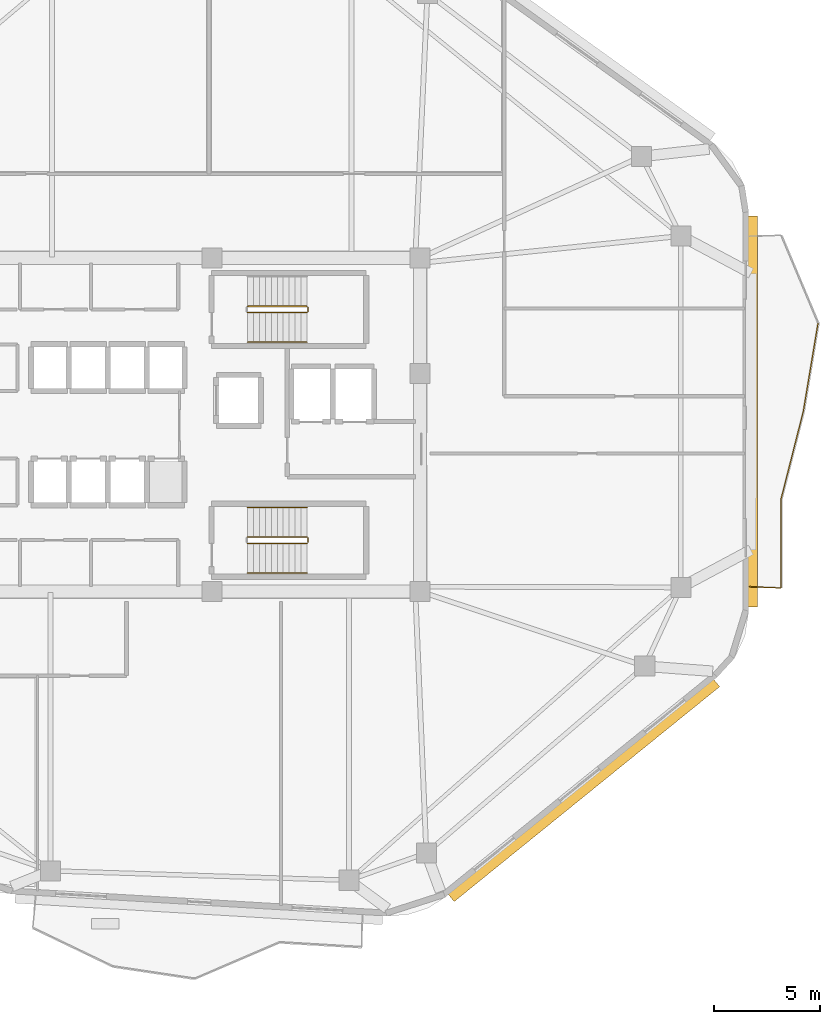
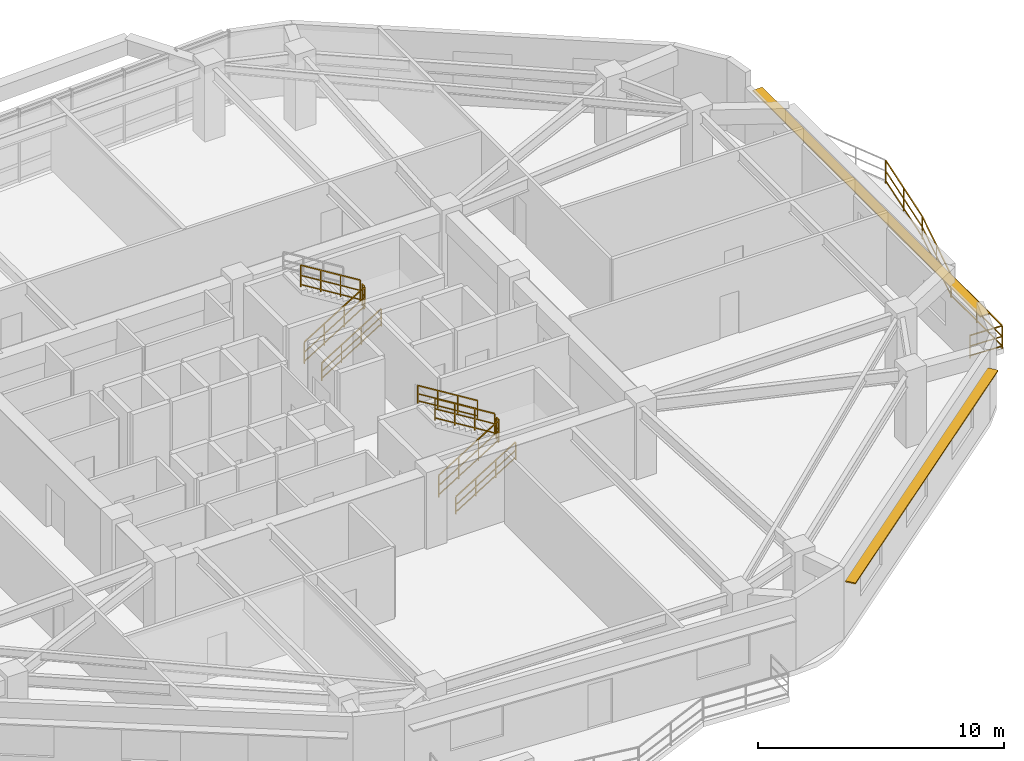
# One storey, part 13 of 15: 13 railings, 2 shading devices.
"""IFC4 building model written with IfcOpenShell, lengths in metres."""

from ifc_helpers import new_model, si_unit, direction, frame, origin, origin_2d, place, context, subcontext, project, spatial, rectangle, extrude, material, layer, layer_set, type_object, element, save


model = new_model("IFC4")

# Units and contexts
model_context = context("Model", 3, precision=1e-05, world=origin(), true_north=direction((0.0, 1.0)))
body_context = subcontext(model_context, "Body", "Model", "MODEL_VIEW")
ifc_project = project(units=[si_unit("LENGTHUNIT", "METRE"), si_unit("AREAUNIT", "SQUARE_METRE"), si_unit("VOLUMEUNIT", "CUBIC_METRE"), si_unit("PLANEANGLEUNIT", "RADIAN"), si_unit("MASSUNIT", "GRAM", prefix="KILO")], contexts=[model_context])

# Site, building, storey
site_placement = place(None, origin())
site = spatial("IfcSite", under=ifc_project, at=site_placement, CompositionType="ELEMENT")
building_placement = place(site_placement, origin())
building = spatial("IfcBuilding", under=site, at=building_placement, Name="Zulverin Broadcast Headquarters", CompositionType="ELEMENT")
storey_placement = place(building_placement, frame((0.0, 0.0, 193.39990234375)))
storey = spatial("IfcBuildingStorey", under=building, at=storey_placement, Name="L49", CompositionType="ELEMENT", Elevation=193.39990234375)

# Railings
ifc_material_1 = material(Name="Brushed stainless steel & laminated glass balustrade", Category="steel")
railing_type_1 = type_object("IfcRailingType", Name="RL-GUARD-1150", PredefinedType="GUARDRAIL", material=ifc_material_1)
railing_1_placement = place(storey_placement, frame((63.840087890625, 17.55029296875, 0.0)))
element("IfcRailing", 1, at=railing_1_placement, inside=storey, type_object=railing_type_1, Name="L49 Vertical-Forest Balcony Guardrail BAL_E Segment 01", PredefinedType="GUARDRAIL", context=body_context, shape_type="SweptSolid", body=[
    extrude(rectangle(XDim=0.048095703125, YDim=0.048095703125, at=origin_2d()), frame((0.0, 0.0, 1.1259765625), z_axis=(0.99918088253, -0.040466825742, 0.0), x_axis=(0.040466825742, 0.99918088253, 0.0)), (0.0, 0.0, 1.0), 1.466064453125),
    extrude(rectangle(XDim=0.0419921875, YDim=0.0419921875, at=origin_2d()), frame((0.0, 0.0, 0.597900390625), z_axis=(0.99918088253, -0.040466825742, 0.0), x_axis=(0.040466825742, 0.99918088253, 0.0)), (0.0, 0.0, 1.0), 1.466064453125),
    extrude(rectangle(XDim=0.0419921875, YDim=0.0419921875, at=origin_2d()), frame((0.0, 0.0, 0.1201171875), z_axis=(0.99918088253, -0.040466825742, 0.0), x_axis=(0.040466825742, 0.99918088253, 0.0)), (0.0, 0.0, 1.0), 1.466064453125),
    extrude(rectangle(XDim=0.0419921875, YDim=0.0419921875, at=origin_2d()), origin(), (0.0, 0.0, 1.0), 1.101806640625),
    extrude(rectangle(XDim=0.0419921875, YDim=0.0419921875, at=origin_2d()), frame((1.46484375, -0.059326171875, 0.0)), (0.0, 0.0, 1.0), 1.101806640625),
])
railing_2_placement = place(storey_placement, frame((65.320068359375, 17.50537109375, 0.0)))
element("IfcRailing", 2, at=railing_2_placement, inside=storey, type_object=railing_type_1, Name="L49 Vertical-Forest Balcony Guardrail BAL_E Segment 02", PredefinedType="GUARDRAIL", context=body_context, shape_type="SweptSolid", body=[
    extrude(rectangle(XDim=0.048095703125, YDim=0.048095703125, at=origin_2d()), frame((0.0, 0.0, 1.1259765625), z_axis=(0.0, 1.0, 0.0), x_axis=(-1.0, 0.0, 0.0)), (0.0, 0.0, 1.0), 4.138916015625),
    extrude(rectangle(XDim=0.0419921875, YDim=0.0419921875, at=origin_2d()), frame((0.0, 0.0, 0.597900390625), z_axis=(0.0, 1.0, 0.0), x_axis=(-1.0, 0.0, 0.0)), (0.0, 0.0, 1.0), 4.138916015625),
    extrude(rectangle(XDim=0.0419921875, YDim=0.0419921875, at=origin_2d()), frame((0.0, 0.0, 0.1201171875), z_axis=(0.0, 1.0, 0.0), x_axis=(-1.0, 0.0, 0.0)), (0.0, 0.0, 1.0), 4.138916015625),
    extrude(rectangle(XDim=0.0419921875, YDim=0.0419921875, at=origin_2d()), origin(), (0.0, 0.0, 1.0), 1.101806640625),
    extrude(rectangle(XDim=0.0419921875, YDim=0.0419921875, at=origin_2d()), frame((0.0, 2.0693359375, 0.0)), (0.0, 0.0, 1.0), 1.101806640625),
    extrude(rectangle(XDim=0.0419921875, YDim=0.0419921875, at=origin_2d()), frame((0.0, 4.138916015625, 0.0)), (0.0, 0.0, 1.0), 1.101806640625),
])
railing_3_placement = place(storey_placement, frame((65.32373046875, 21.673828125, 0.0)))
element("IfcRailing", 3, at=railing_3_placement, inside=storey, type_object=railing_type_1, Name="L49 Vertical-Forest Balcony Guardrail BAL_E Segment 03", PredefinedType="GUARDRAIL", context=body_context, shape_type="SweptSolid", body=[
    extrude(rectangle(XDim=0.048095703125, YDim=0.048095703125, at=origin_2d()), frame((0.0, 0.0, 1.1259765625), z_axis=(0.246124867656, 0.969238128388, 0.0), x_axis=(-0.969238128388, 0.246124867656, 0.0)), (0.0, 0.0, 1.0), 4.271240234375),
    extrude(rectangle(XDim=0.0419921875, YDim=0.0419921875, at=origin_2d()), frame((0.0, 0.0, 0.597900390625), z_axis=(0.246124867656, 0.969238128388, 0.0), x_axis=(-0.969238128388, 0.246124867656, 0.0)), (0.0, 0.0, 1.0), 4.271240234375),
    extrude(rectangle(XDim=0.0419921875, YDim=0.0419921875, at=origin_2d()), frame((0.0, 0.0, 0.1201171875), z_axis=(0.246124867656, 0.969238128388, 0.0), x_axis=(-0.969238128388, 0.246124867656, 0.0)), (0.0, 0.0, 1.0), 4.271240234375),
    extrude(rectangle(XDim=0.0419921875, YDim=0.0419921875, at=origin_2d()), origin(), (0.0, 0.0, 1.0), 1.101806640625),
    extrude(rectangle(XDim=0.0419921875, YDim=0.0419921875, at=origin_2d()), frame((0.525634765625, 2.06982421875, 0.0)), (0.0, 0.0, 1.0), 1.101806640625),
    extrude(rectangle(XDim=0.0419921875, YDim=0.0419921875, at=origin_2d()), frame((1.05126953125, 4.139892578125, 0.0)), (0.0, 0.0, 1.0), 1.101806640625),
])
railing_4_placement = place(storey_placement, frame((66.38134765625, 25.843017578125, 0.0)))
element("IfcRailing", 4, at=railing_4_placement, inside=storey, type_object=railing_type_1, Name="L49 Vertical-Forest Balcony Guardrail BAL_E Segment 04", PredefinedType="GUARDRAIL", context=body_context, shape_type="SweptSolid", body=[
    extrude(rectangle(XDim=0.048095703125, YDim=0.048095703125, at=origin_2d()), frame((0.0, 0.0, 1.1259765625), z_axis=(0.16446502515, 0.986382915253, 0.0), x_axis=(-0.986382915253, 0.16446502515, 0.0)), (0.0, 0.0, 1.0), 4.196533203125),
    extrude(rectangle(XDim=0.0419921875, YDim=0.0419921875, at=origin_2d()), frame((0.0, 0.0, 0.597900390625), z_axis=(0.16446502515, 0.986382915253, 0.0), x_axis=(-0.986382915253, 0.16446502515, 0.0)), (0.0, 0.0, 1.0), 4.196533203125),
    extrude(rectangle(XDim=0.0419921875, YDim=0.0419921875, at=origin_2d()), frame((0.0, 0.0, 0.1201171875), z_axis=(0.16446502515, 0.986382915253, 0.0), x_axis=(-0.986382915253, 0.16446502515, 0.0)), (0.0, 0.0, 1.0), 4.196533203125),
    extrude(rectangle(XDim=0.0419921875, YDim=0.0419921875, at=origin_2d()), origin(), (0.0, 0.0, 1.0), 1.101806640625),
    extrude(rectangle(XDim=0.0419921875, YDim=0.0419921875, at=origin_2d()), frame((0.34521484375, 2.06982421875, 0.0)), (0.0, 0.0, 1.0), 1.101806640625),
    extrude(rectangle(XDim=0.0419921875, YDim=0.0419921875, at=origin_2d()), frame((0.690185546875, 4.139404296875, 0.0)), (0.0, 0.0, 1.0), 1.101806640625),
])
ifc_material_2 = material(Name="Painted galvanized steel tubular guardrail S355JR", Category="steel")
railing_type_2 = type_object("IfcRailingType", Name="RL-ST-GUARD", PredefinedType="GUARDRAIL", material=ifc_material_2)
railing_5_placement = place(storey_placement, frame((40.1298828125, 30.5, 0.1728515625)))
element("IfcRailing", 5, at=railing_5_placement, inside=storey, type_object=railing_type_2, Name="L49 ST-1 stair guard 1", PredefinedType="GUARDRAIL", context=body_context, shape_type="SweptSolid", body=[
    extrude(rectangle(XDim=0.048095703125, YDim=0.048095703125, at=origin_2d()), frame((0.0, 0.0, 1.076171875), z_axis=(0.851089632645, 0.0, 0.525020415988), x_axis=(0.0, 1.0, 0.0)), (0.0, 0.0, 1.0), 3.2900390625),
    extrude(rectangle(XDim=0.0419921875, YDim=0.0419921875, at=origin_2d()), frame((0.0, 0.0, 0.572021484375), z_axis=(0.851089632645, 0.0, 0.525020415988), x_axis=(0.0, 1.0, 0.0)), (0.0, 0.0, 1.0), 3.2900390625),
    extrude(rectangle(XDim=0.0419921875, YDim=0.0419921875, at=origin_2d()), frame((0.0, 0.0, 0.1201171875), z_axis=(0.851089632645, 0.0, 0.525020415988), x_axis=(0.0, 1.0, 0.0)), (0.0, 0.0, 1.0), 3.2900390625),
    extrude(rectangle(XDim=0.0419921875, YDim=0.0419921875, at=origin_2d()), origin(), (0.0, 0.0, 1.0), 1.052001953125),
    extrude(rectangle(XDim=0.0419921875, YDim=0.0419921875, at=origin_2d()), frame((0.933349609375, 0.0, 0.57568359375)), (0.0, 0.0, 1.0), 1.052001953125),
    extrude(rectangle(XDim=0.0419921875, YDim=0.0419921875, at=origin_2d()), frame((1.86669921875, 0.0, 1.151611328125)), (0.0, 0.0, 1.0), 1.052001953125),
    extrude(rectangle(XDim=0.0419921875, YDim=0.0419921875, at=origin_2d()), frame((2.800048828125, 0.0, 1.727294921875)), (0.0, 0.0, 1.0), 1.052001953125),
])
railing_6_placement = place(storey_placement, frame((42.97998046875, 30.550048828125, 1.900146484375)))
element("IfcRailing", 6, at=railing_6_placement, inside=storey, type_object=railing_type_2, Name="L49 ST-1 stair guard 2", PredefinedType="GUARDRAIL", context=body_context, shape_type="SweptSolid", body=[
    extrude(rectangle(XDim=0.048095703125, YDim=0.048095703125, at=origin_2d()), frame((0.0, 0.0, 1.076171875), z_axis=(0.0, 1.0, 0.0), x_axis=(-1.0, 0.0, 0.0)), (0.0, 0.0, 1.0), 0.199951171875),
    extrude(rectangle(XDim=0.0419921875, YDim=0.0419921875, at=origin_2d()), frame((0.0, 0.0, 0.572021484375), z_axis=(0.0, 1.0, 0.0), x_axis=(-1.0, 0.0, 0.0)), (0.0, 0.0, 1.0), 0.199951171875),
    extrude(rectangle(XDim=0.0419921875, YDim=0.0419921875, at=origin_2d()), frame((0.0, 0.0, 0.1201171875), z_axis=(0.0, 1.0, 0.0), x_axis=(-1.0, 0.0, 0.0)), (0.0, 0.0, 1.0), 0.199951171875),
    extrude(rectangle(XDim=0.0419921875, YDim=0.0419921875, at=origin_2d()), origin(), (0.0, 0.0, 1.0), 1.052001953125),
    extrude(rectangle(XDim=0.0419921875, YDim=0.0419921875, at=origin_2d()), frame((0.0, 0.199951171875, 0.0)), (0.0, 0.0, 1.0), 1.052001953125),
])
railing_7_placement = place(storey_placement, frame((42.929931640625, 30.800048828125, 2.07275390625)))
element("IfcRailing", 7, at=railing_7_placement, inside=storey, type_object=railing_type_2, Name="L49 ST-1 stair guard 3", PredefinedType="GUARDRAIL", context=body_context, shape_type="SweptSolid", body=[
    extrude(rectangle(XDim=0.048095703125, YDim=0.048095703125, at=origin_2d()), frame((0.0, 0.0, 1.076171875), z_axis=(-0.851089632645, 0.0, 0.525020415988), x_axis=(0.0, -1.0, 0.0)), (0.0, 0.0, 1.0), 3.2900390625),
    extrude(rectangle(XDim=0.0419921875, YDim=0.0419921875, at=origin_2d()), frame((0.0, 0.0, 0.572021484375), z_axis=(-0.851089632645, 0.0, 0.525020415988), x_axis=(0.0, -1.0, 0.0)), (0.0, 0.0, 1.0), 3.2900390625),
    extrude(rectangle(XDim=0.0419921875, YDim=0.0419921875, at=origin_2d()), frame((0.0, 0.0, 0.1201171875), z_axis=(-0.851089632645, 0.0, 0.525020415988), x_axis=(0.0, -1.0, 0.0)), (0.0, 0.0, 1.0), 3.2900390625),
    extrude(rectangle(XDim=0.0419921875, YDim=0.0419921875, at=origin_2d()), origin(), (0.0, 0.0, 1.0), 1.052001953125),
    extrude(rectangle(XDim=0.0419921875, YDim=0.0419921875, at=origin_2d()), frame((-0.933349609375, 0.0, 0.57568359375)), (0.0, 0.0, 1.0), 1.052001953125),
    extrude(rectangle(XDim=0.0419921875, YDim=0.0419921875, at=origin_2d()), frame((-1.86669921875, 0.0, 1.151611328125)), (0.0, 0.0, 1.0), 1.052001953125),
    extrude(rectangle(XDim=0.0419921875, YDim=0.0419921875, at=origin_2d()), frame((-2.800048828125, 0.0, 1.727294921875)), (0.0, 0.0, 1.0), 1.052001953125),
])
railing_8_placement = place(storey_placement, frame((40.1298828125, 19.60009765625, 0.1728515625)))
element("IfcRailing", 8, at=railing_8_placement, inside=storey, type_object=railing_type_2, Name="L49 ST-2 stair guard 1", PredefinedType="GUARDRAIL", context=body_context, shape_type="SweptSolid", body=[
    extrude(rectangle(XDim=0.048095703125, YDim=0.048095703125, at=origin_2d()), frame((0.0, 0.0, 1.076171875), z_axis=(0.851089632645, 0.0, 0.525020415988), x_axis=(0.0, 1.0, 0.0)), (0.0, 0.0, 1.0), 3.2900390625),
    extrude(rectangle(XDim=0.0419921875, YDim=0.0419921875, at=origin_2d()), frame((0.0, 0.0, 0.572021484375), z_axis=(0.851089632645, 0.0, 0.525020415988), x_axis=(0.0, 1.0, 0.0)), (0.0, 0.0, 1.0), 3.2900390625),
    extrude(rectangle(XDim=0.0419921875, YDim=0.0419921875, at=origin_2d()), frame((0.0, 0.0, 0.1201171875), z_axis=(0.851089632645, 0.0, 0.525020415988), x_axis=(0.0, 1.0, 0.0)), (0.0, 0.0, 1.0), 3.2900390625),
    extrude(rectangle(XDim=0.0419921875, YDim=0.0419921875, at=origin_2d()), origin(), (0.0, 0.0, 1.0), 1.052001953125),
    extrude(rectangle(XDim=0.0419921875, YDim=0.0419921875, at=origin_2d()), frame((0.933349609375, 0.0, 0.57568359375)), (0.0, 0.0, 1.0), 1.052001953125),
    extrude(rectangle(XDim=0.0419921875, YDim=0.0419921875, at=origin_2d()), frame((1.86669921875, 0.0, 1.151611328125)), (0.0, 0.0, 1.0), 1.052001953125),
    extrude(rectangle(XDim=0.0419921875, YDim=0.0419921875, at=origin_2d()), frame((2.800048828125, 0.0, 1.727294921875)), (0.0, 0.0, 1.0), 1.052001953125),
])
railing_9_placement = place(storey_placement, frame((42.97998046875, 19.64990234375, 1.900146484375)))
element("IfcRailing", 9, at=railing_9_placement, inside=storey, type_object=railing_type_2, Name="L49 ST-2 stair guard 2", PredefinedType="GUARDRAIL", context=body_context, shape_type="SweptSolid", body=[
    extrude(rectangle(XDim=0.048095703125, YDim=0.048095703125, at=origin_2d()), frame((0.0, 0.0, 1.076171875), z_axis=(0.0, 1.0, 0.0), x_axis=(-1.0, 0.0, 0.0)), (0.0, 0.0, 1.0), 0.2001953125),
    extrude(rectangle(XDim=0.0419921875, YDim=0.0419921875, at=origin_2d()), frame((0.0, 0.0, 0.572021484375), z_axis=(0.0, 1.0, 0.0), x_axis=(-1.0, 0.0, 0.0)), (0.0, 0.0, 1.0), 0.2001953125),
    extrude(rectangle(XDim=0.0419921875, YDim=0.0419921875, at=origin_2d()), frame((0.0, 0.0, 0.1201171875), z_axis=(0.0, 1.0, 0.0), x_axis=(-1.0, 0.0, 0.0)), (0.0, 0.0, 1.0), 0.2001953125),
    extrude(rectangle(XDim=0.0419921875, YDim=0.0419921875, at=origin_2d()), origin(), (0.0, 0.0, 1.0), 1.052001953125),
    extrude(rectangle(XDim=0.0419921875, YDim=0.0419921875, at=origin_2d()), frame((0.0, 0.2001953125, 0.0)), (0.0, 0.0, 1.0), 1.052001953125),
])
railing_10_placement = place(storey_placement, frame((42.929931640625, 19.89990234375, 2.07275390625)))
element("IfcRailing", 10, at=railing_10_placement, inside=storey, type_object=railing_type_2, Name="L49 ST-2 stair guard 3", PredefinedType="GUARDRAIL", context=body_context, shape_type="SweptSolid", body=[
    extrude(rectangle(XDim=0.048095703125, YDim=0.048095703125, at=origin_2d()), frame((0.0, 0.0, 1.076171875), z_axis=(-0.851089632645, 0.0, 0.525020415988), x_axis=(0.0, -1.0, 0.0)), (0.0, 0.0, 1.0), 3.2900390625),
    extrude(rectangle(XDim=0.0419921875, YDim=0.0419921875, at=origin_2d()), frame((0.0, 0.0, 0.572021484375), z_axis=(-0.851089632645, 0.0, 0.525020415988), x_axis=(0.0, -1.0, 0.0)), (0.0, 0.0, 1.0), 3.2900390625),
    extrude(rectangle(XDim=0.0419921875, YDim=0.0419921875, at=origin_2d()), frame((0.0, 0.0, 0.1201171875), z_axis=(-0.851089632645, 0.0, 0.525020415988), x_axis=(0.0, -1.0, 0.0)), (0.0, 0.0, 1.0), 3.2900390625),
    extrude(rectangle(XDim=0.0419921875, YDim=0.0419921875, at=origin_2d()), origin(), (0.0, 0.0, 1.0), 1.052001953125),
    extrude(rectangle(XDim=0.0419921875, YDim=0.0419921875, at=origin_2d()), frame((-0.933349609375, 0.0, 0.57568359375)), (0.0, 0.0, 1.0), 1.052001953125),
    extrude(rectangle(XDim=0.0419921875, YDim=0.0419921875, at=origin_2d()), frame((-1.86669921875, 0.0, 1.151611328125)), (0.0, 0.0, 1.0), 1.052001953125),
    extrude(rectangle(XDim=0.0419921875, YDim=0.0419921875, at=origin_2d()), frame((-2.800048828125, 0.0, 1.727294921875)), (0.0, 0.0, 1.0), 1.052001953125),
])
ifc_material_3 = material(Name="Brushed stainless steel 48 mm handrail", Category="steel")
railing_type_3 = type_object("IfcRailingType", Name="RL-ST-HAND", PredefinedType="HANDRAIL", material=ifc_material_3)
for number, where, name in (
    (11, (40.1298828125, 29.10009765625, 0.1728515625), "L49 ST-1 stair handrail 1"),
    (12, (40.1298828125, 18.199951171875, 0.1728515625), "L49 ST-2 stair handrail 1"),
):
    element("IfcRailing", number, at=place(storey_placement, frame(where)), inside=storey, type_object=railing_type_3, Name=name, PredefinedType="HANDRAIL", context=body_context, shape_type="SweptSolid", body=[
        extrude(rectangle(XDim=0.048095703125, YDim=0.048095703125, at=origin_2d()), frame((0.0, 0.0, 0.8759765625), z_axis=(0.851089632645, 0.0, 0.525020415988), x_axis=(0.0, 1.0, 0.0)), (0.0, 0.0, 1.0), 3.2900390625),
        extrude(rectangle(XDim=0.0419921875, YDim=0.0419921875, at=origin_2d()), frame((0.0, 0.0, 0.468017578125), z_axis=(0.851089632645, 0.0, 0.525020415988), x_axis=(0.0, 1.0, 0.0)), (0.0, 0.0, 1.0), 3.2900390625),
        extrude(rectangle(XDim=0.0419921875, YDim=0.0419921875, at=origin_2d()), frame((0.0, 0.0, 0.1201171875), z_axis=(0.851089632645, 0.0, 0.525020415988), x_axis=(0.0, 1.0, 0.0)), (0.0, 0.0, 1.0), 3.2900390625),
        extrude(rectangle(XDim=0.0419921875, YDim=0.0419921875, at=origin_2d()), origin(), (0.0, 0.0, 1.0), 0.851806640625),
        extrude(rectangle(XDim=0.0419921875, YDim=0.0419921875, at=origin_2d()), frame((0.933349609375, 0.0, 0.57568359375)), (0.0, 0.0, 1.0), 0.851806640625),
        extrude(rectangle(XDim=0.0419921875, YDim=0.0419921875, at=origin_2d()), frame((1.86669921875, 0.0, 1.151611328125)), (0.0, 0.0, 1.0), 0.851806640625),
        extrude(rectangle(XDim=0.0419921875, YDim=0.0419921875, at=origin_2d()), frame((2.800048828125, 0.0, 1.727294921875)), (0.0, 0.0, 1.0), 0.851806640625),
    ])
railing_11_placement = place(storey_placement, frame((42.929931640625, 21.300048828125, 2.07275390625)))
element("IfcRailing", 13, at=railing_11_placement, inside=storey, type_object=railing_type_3, Name="L49 ST-2 stair handrail 2", PredefinedType="HANDRAIL", context=body_context, shape_type="SweptSolid", body=[
    extrude(rectangle(XDim=0.048095703125, YDim=0.048095703125, at=origin_2d()), frame((0.0, 0.0, 0.8759765625), z_axis=(-0.851089632645, 0.0, 0.525020415988), x_axis=(0.0, -1.0, 0.0)), (0.0, 0.0, 1.0), 3.2900390625),
    extrude(rectangle(XDim=0.0419921875, YDim=0.0419921875, at=origin_2d()), frame((0.0, 0.0, 0.468017578125), z_axis=(-0.851089632645, 0.0, 0.525020415988), x_axis=(0.0, -1.0, 0.0)), (0.0, 0.0, 1.0), 3.2900390625),
    extrude(rectangle(XDim=0.0419921875, YDim=0.0419921875, at=origin_2d()), frame((0.0, 0.0, 0.1201171875), z_axis=(-0.851089632645, 0.0, 0.525020415988), x_axis=(0.0, -1.0, 0.0)), (0.0, 0.0, 1.0), 3.2900390625),
    extrude(rectangle(XDim=0.0419921875, YDim=0.0419921875, at=origin_2d()), origin(), (0.0, 0.0, 1.0), 0.851806640625),
    extrude(rectangle(XDim=0.0419921875, YDim=0.0419921875, at=origin_2d()), frame((-0.933349609375, 0.0, 0.57568359375)), (0.0, 0.0, 1.0), 0.851806640625),
    extrude(rectangle(XDim=0.0419921875, YDim=0.0419921875, at=origin_2d()), frame((-1.86669921875, 0.0, 1.151611328125)), (0.0, 0.0, 1.0), 0.851806640625),
    extrude(rectangle(XDim=0.0419921875, YDim=0.0419921875, at=origin_2d()), frame((-2.800048828125, 0.0, 1.727294921875)), (0.0, 0.0, 1.0), 0.851806640625),
])

# Shading devices
ifc_material_4 = material(Name="Anodized pale-metal aluminium sunshade", Category="aluminium")
ifc_layer = layer(ifc_material_4, 0.06005859375, Name="Anodized pale-metal aluminium sunshade", Category="aluminium")
ifc_layer_set = layer_set([ifc_layer], Name="Anodized pale-metal aluminium sunshade")
shading_device_type = type_object("IfcShadingDeviceType", Name="SS-01_PALE_METAL_ALUMINIUM_SUNSHADE", PredefinedType="USERDEFINED", material=ifc_layer_set)
shading_device_1_placement = place(storey_placement, frame((56.014404296875, 7.922607421875, 2.7099609375), z_axis=(0.0, 0.0, 1.0), x_axis=(0.777274454694, 0.629161681987, 0.0)))
element("IfcShadingDevice", 14, at=shading_device_1_placement, inside=storey, type_object=shading_device_type, Name="L49 Horizontal Pale-Metal Sunshade Band 2", ObjectType="SUNSHADE", PredefinedType="USERDEFINED", context=body_context, shape_type="SweptSolid", body=[
    extrude(rectangle(XDim=16.139892578125, YDim=0.449951171875, at=origin_2d()), origin(), (0.0, 0.0, 1.0), 0.06005859375),
])
shading_device_2_placement = place(storey_placement, frame((64.0, 25.828369140625, 2.6201171875), z_axis=(0.0, 0.0, 1.0), x_axis=(0.0, 1.0, 0.0)))
element("IfcShadingDevice", 15, at=shading_device_2_placement, inside=storey, type_object=shading_device_type, Name="L49 Horizontal Pale-Metal Sunshade Band 3", ObjectType="SUNSHADE", PredefinedType="USERDEFINED", context=body_context, shape_type="SweptSolid", body=[
    extrude(rectangle(XDim=18.475830078125, YDim=0.449951171875, at=origin_2d()), origin(), (0.0, 0.0, 1.0), 0.06005859375),
])

save(model, "model.ifc")
